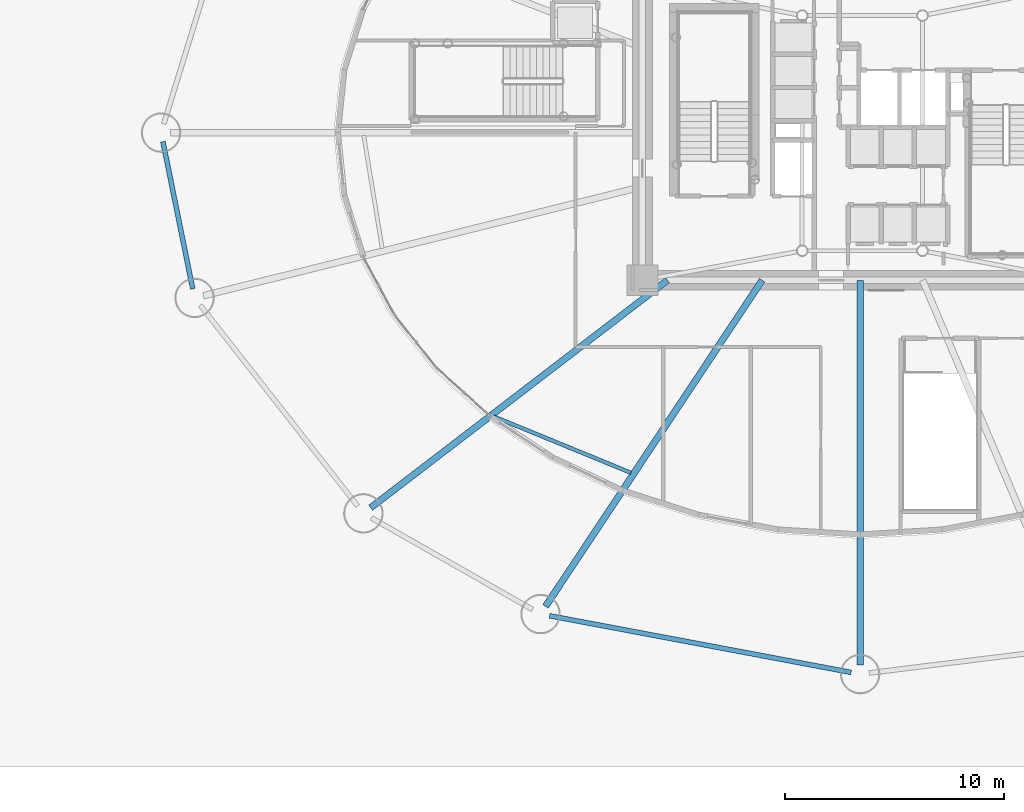
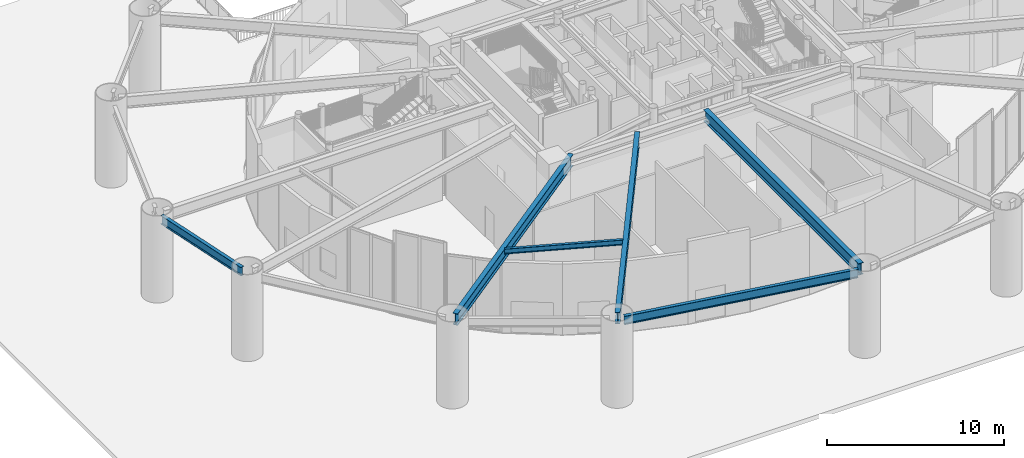
# One storey, part 7 of 46: 6 beams.
"""IFC4 building model written with IfcOpenShell, lengths in metres."""

from ifc_helpers import new_model, si_unit, direction, frame, origin, origin_2d, place, context, subcontext, project, spatial, i_section, extrude, material, material_profile, profile_set, type_object, element, save


model = new_model("IFC4")

# Units and contexts
model_context = context("Model", 3, precision=1e-05, world=origin(), true_north=direction((0.0, 1.0)))
body_context = subcontext(model_context, "Body", "Model", "MODEL_VIEW")
ifc_project = project(units=[si_unit("LENGTHUNIT", "METRE"), si_unit("AREAUNIT", "SQUARE_METRE"), si_unit("VOLUMEUNIT", "CUBIC_METRE"), si_unit("PLANEANGLEUNIT", "RADIAN"), si_unit("MASSUNIT", "GRAM", prefix="KILO")], contexts=[model_context])

# Site, building, storey
site_placement = place(None, origin())
site = spatial("IfcSite", under=ifc_project, at=site_placement, CompositionType="ELEMENT")
building_placement = place(site_placement, origin())
building = spatial("IfcBuilding", under=site, at=building_placement, Name="Linh Dai School and Residence Tower", CompositionType="ELEMENT")
storey_placement = place(building_placement, origin())
storey = spatial("IfcBuildingStorey", under=building, at=storey_placement, Name="L00", CompositionType="ELEMENT", Elevation=0.0)

# Beams
ifc_material = material(Name="Structural Steel S355JR", Category="steel")
ifc_material_profile_1 = material_profile(ifc_material, i_section(OverallWidth=0.219970703125, OverallDepth=0.60009765625, WebThickness=0.011962890625, FlangeThickness=0.01904296875, FilletRadius=0.02392578125, at=origin_2d()), Name="IPE 600")
ifc_profile_set_1 = profile_set([ifc_material_profile_1], Name="Structural Steel S355JR")
beam_type_1 = type_object("IfcBeamType", Name="BM-RB60", PredefinedType="BEAM", material=ifc_profile_set_1)
beam_1_placement = place(storey_placement, frame((4.13330078125, 26.58837890625, 5.39990234375), z_axis=(0.198405440792, -0.980120034008, 0.0), x_axis=(0.980120034008, 0.198405440792, 0.0)))
element("IfcBeam", 1, at=beam_1_placement, inside=storey, type_object=beam_type_1, Name="L00 Perimeter Elliptical Ring Beam 09", PredefinedType="BEAM", context=body_context, shape_type="SweptSolid", body=[
    extrude(i_section(OverallWidth=0.219970703125, OverallDepth=0.60009765625, WebThickness=0.011962890625, FlangeThickness=0.01904296875, FilletRadius=0.02392578125, at=origin_2d()), origin(), (0.0, 0.0, 1.0), 6.86865234375),
])
beam_2_placement = place(storey_placement, frame((21.803466796875, 4.917236328125, 5.39990234375), z_axis=(0.98280551354, -0.184643772045, 0.0), x_axis=(0.184643772045, 0.98280551354, 0.0)))
element("IfcBeam", 2, at=beam_2_placement, inside=storey, type_object=beam_type_1, Name="L00 Perimeter Elliptical Ring Beam 12", PredefinedType="BEAM", context=body_context, shape_type="SweptSolid", body=[
    extrude(i_section(OverallWidth=0.219970703125, OverallDepth=0.60009765625, WebThickness=0.011962890625, FlangeThickness=0.01904296875, FilletRadius=0.02392578125, at=origin_2d()), origin(), (0.0, 0.0, 1.0), 14.02490234375),
])
ifc_material_profile_2 = material_profile(ifc_material, i_section(OverallWidth=0.300048828125, OverallDepth=0.800048828125, WebThickness=0.017578125, FlangeThickness=0.032958984375, FilletRadius=0.030029296875, at=origin_2d()), Name="HEB 800")
ifc_profile_set_2 = profile_set([ifc_material_profile_2], Name="Structural Steel S355JR")
beam_type_2 = type_object("IfcBeamType", Name="BM-RG8", PredefinedType="BEAM", material=ifc_profile_set_2)
beam_3_placement = place(storey_placement, frame((27.192138671875, 20.25, 5.300048828125), z_axis=(-0.793713040757, -0.608292371259, 0.0), x_axis=(0.608292371259, -0.793713040757, 0.0)))
element("IfcBeam", 3, at=beam_3_placement, inside=storey, type_object=beam_type_2, Name="L00 Primary Radial Floor Girder 11", PredefinedType="BEAM", context=body_context, shape_type="SweptSolid", body=[
    extrude(i_section(OverallWidth=0.300048828125, OverallDepth=0.800048828125, WebThickness=0.017578125, FlangeThickness=0.032958984375, FilletRadius=0.030029296875, at=origin_2d()), origin(), (0.0, 0.0, 1.0), 17.08935546875),
])
beam_4_placement = place(storey_placement, frame((31.518798828125, 20.25, 5.300048828125), z_axis=(-0.553108911901, -0.833108955404, 0.0), x_axis=(0.833108955404, -0.553108911901, 0.0)))
element("IfcBeam", 4, at=beam_4_placement, inside=storey, type_object=beam_type_2, Name="L00 Primary Radial Floor Girder 12", PredefinedType="BEAM", context=body_context, shape_type="SweptSolid", body=[
    extrude(i_section(OverallWidth=0.300048828125, OverallDepth=0.800048828125, WebThickness=0.017578125, FlangeThickness=0.032958984375, FilletRadius=0.030029296875, at=origin_2d()), origin(), (0.0, 0.0, 1.0), 17.89111328125),
])
beam_5_placement = place(storey_placement, frame((36.0, 20.25, 5.300048828125), z_axis=(0.0, -1.0, 0.0), x_axis=(1.0, 0.0, 0.0)))
element("IfcBeam", 5, at=beam_5_placement, inside=storey, type_object=beam_type_2, Name="L00 Primary Radial Floor Girder 13", PredefinedType="BEAM", context=body_context, shape_type="SweptSolid", body=[
    extrude(i_section(OverallWidth=0.300048828125, OverallDepth=0.800048828125, WebThickness=0.017578125, FlangeThickness=0.032958984375, FilletRadius=0.030029296875, at=origin_2d()), origin(), (0.0, 0.0, 1.0), 17.580078125),
])
ifc_material_profile_3 = material_profile(ifc_material, i_section(OverallWidth=0.169921875, OverallDepth=0.360107421875, WebThickness=0.008056640625, FlangeThickness=0.0126953125, FilletRadius=0.01806640625, at=origin_2d()), Name="IPE 360")
ifc_profile_set_3 = profile_set([ifc_material_profile_3], Name="Structural Steel S355JR")
beam_type_3 = type_object("IfcBeamType", Name="BM-SB36", PredefinedType="BEAM", material=ifc_profile_set_3)
beam_6_placement = place(storey_placement, frame((19.251953125, 14.023193359375, 5.52001953125), z_axis=(0.925243182728, -0.37937455478, 0.0), x_axis=(0.37937455478, 0.925243182728, 0.0)))
element("IfcBeam", 6, at=beam_6_placement, inside=storey, type_object=beam_type_3, Name="L00 Secondary Circumferential Floor Beam 06", PredefinedType="BEAM", context=body_context, shape_type="SweptSolid", body=[
    extrude(i_section(OverallWidth=0.169921875, OverallDepth=0.360107421875, WebThickness=0.008056640625, FlangeThickness=0.0126953125, FilletRadius=0.01806640625, at=origin_2d()), origin(), (0.0, 0.0, 1.0), 6.779052734375),
])

save(model, "model.ifc")
